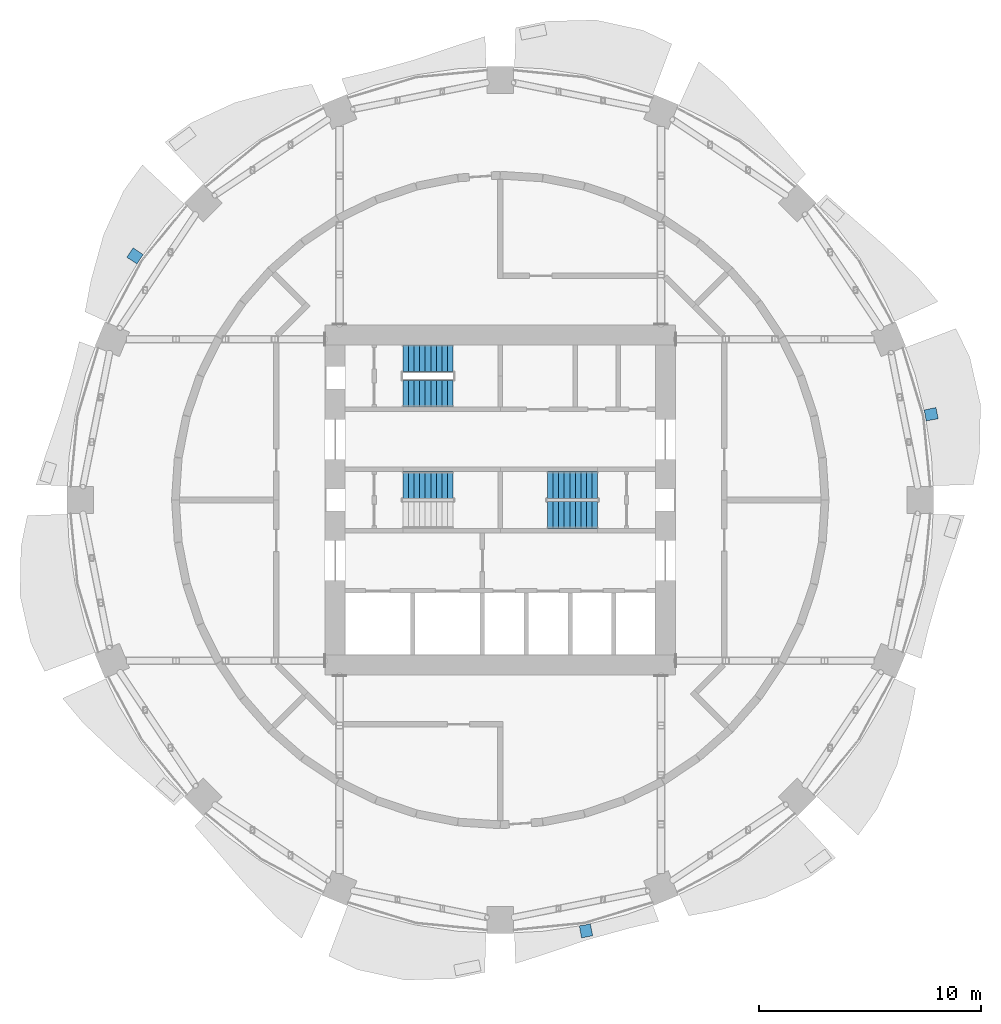
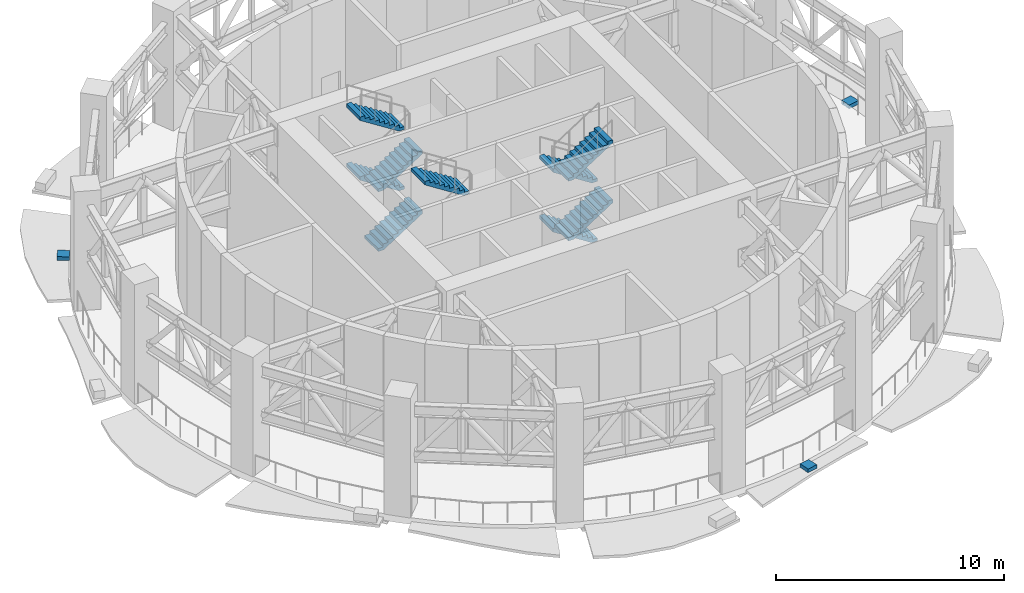
# One storey, part 9 of 14: 9 stair flights, 3 discrete accessories, 3 elements without a shape of their own.
"""IFC4 building model written with IfcOpenShell, lengths in metres."""

import ifcopenshell
import ifcopenshell.guid

model = None  # the IFC model being written
_history = None  # IfcOwnerHistory: only IFC2X3 demands one
_inside = {}  # id of a spatial element -> (the spatial element, [elements in it])
_under = {}  # id of a project, library or spatial element -> (it, [spatial elements below it])
_declared = {}  # id of a project -> (the project, [libraries it declares])
_typed = {}  # id of a type object -> (the type object, [elements of that type])
_made_of = {}  # id of a material, layer set ... -> (it, [elements and type objects made of it])


def new_model(schema):
    """Start an empty IFC model of exactly this schema.

    Asked for "IFC4X3", IfcOpenShell would pick the latest addendum, in which some entities
    have other attributes; the version numbers below select the first issue.
    IFC2X3 requires an IfcOwnerHistory on every rooted entity: one is made here for all.
    """
    global model, _history
    if schema == "IFC4X3":
        model = ifcopenshell.file(schema_version=(4, 3, 0, 0))
    else:
        model = ifcopenshell.file(schema=schema)
    _inside.clear()
    _under.clear()
    _declared.clear()
    _typed.clear()
    _made_of.clear()
    _history = None
    if model.schema == "IFC2X3":
        org = make("IfcOrganization", Name="unknown")
        user = make(
            "IfcPersonAndOrganization",
            ThePerson=make("IfcPerson", FamilyName="unknown"),
            TheOrganization=org,
        )
        app = make(
            "IfcApplication",
            ApplicationDeveloper=org,
            Version="unknown",
            ApplicationFullName="unknown",
            ApplicationIdentifier="unknown",
        )
        _history = make(
            "IfcOwnerHistory",
            OwningUser=user,
            OwningApplication=app,
            ChangeAction="ADDED",
            CreationDate=0,
        )
    return model


def make(cls, **values):
    """One entity of the class cls with the attributes given. An attribute that is None is left unset."""
    return model.create_entity(
        cls, **{name: value for name, value in values.items() if value is not None}
    )


def rooted(cls, **values):
    """An entity with a GlobalId (a new one), such as an element, a storey or a relation."""
    return make(cls, GlobalId=ifcopenshell.guid.new(), OwnerHistory=_history, **values)


def si_unit(unit_type, name, prefix=None):
    """IfcSIUnit, for example si_unit("LENGTHUNIT", "METRE", prefix="MILLI")."""
    return make("IfcSIUnit", UnitType=unit_type, Prefix=prefix, Name=name)


def assignment(units):
    """IfcUnitAssignment: the units of a project."""
    return None if units is None else make("IfcUnitAssignment", Units=units)


def point(xyz):
    """IfcCartesianPoint."""
    return None if xyz is None else make("IfcCartesianPoint", Coordinates=xyz)


def direction(xyz):
    """IfcDirection."""
    return None if xyz is None else make("IfcDirection", DirectionRatios=xyz)


def frame(location, z_axis=None, x_axis=None):
    """IfcAxis2Placement3D, a coordinate frame: its origin and axes. An axis left out is left unset."""
    return make(
        "IfcAxis2Placement3D",
        Location=point(location),
        Axis=direction(z_axis),
        RefDirection=direction(x_axis),
    )


def origin():
    """The frame at (0, 0, 0) with its axes left unset."""
    return frame((0.0, 0.0, 0.0))


def place(relative_to, where):
    """IfcLocalPlacement: puts the frame where relative to a parent placement (None: the world)."""
    return make(
        "IfcLocalPlacement", PlacementRelTo=relative_to, RelativePlacement=where
    )


def context(
    kind, dimensions, precision=None, world=None, true_north=None, identifier=None
):
    """IfcGeometricRepresentationContext, for example the 3D "Model" context."""
    return make(
        "IfcGeometricRepresentationContext",
        ContextIdentifier=identifier,
        ContextType=kind,
        CoordinateSpaceDimension=dimensions,
        Precision=precision,
        WorldCoordinateSystem=world,
        TrueNorth=true_north,
    )


def subcontext(parent, identifier, kind, view, scale=None):
    """IfcGeometricRepresentationSubContext, for example "Body" below "Model"."""
    return make(
        "IfcGeometricRepresentationSubContext",
        ContextIdentifier=identifier,
        ContextType=kind,
        ParentContext=parent,
        TargetScale=scale,
        TargetView=view,
    )


def project(units=None, contexts=None):
    """IfcProject with its units and contexts."""
    return rooted(
        "IfcProject",
        Name="project",
        RepresentationContexts=contexts,
        UnitsInContext=assignment(units),
    )


def spatial(cls, under=None, at=None, **own):
    """A site, building, storey or space (cls), placed at a placement, below another one or the project."""
    s = rooted(cls, ObjectPlacement=at, **own)
    if under is not None:
        _under.setdefault(under.id(), (under, []))[1].append(s)
    return s


def polyline(points):
    """IfcPolyline through the points."""
    return make("IfcPolyline", Points=[point(p) for p in points])


def outline(outer, holes=None, kind="AREA"):
    """IfcArbitraryClosedProfileDef: a profile drawn as a closed curve; with holes, ...WithVoids."""
    if holes is None:
        return make("IfcArbitraryClosedProfileDef", ProfileType=kind, OuterCurve=outer)
    return make(
        "IfcArbitraryProfileDefWithVoids",
        ProfileType=kind,
        OuterCurve=outer,
        InnerCurves=holes,
    )


def extrude(swept, where, along, depth):
    """IfcExtrudedAreaSolid: the profile swept, set in the frame where, extruded along a direction by depth."""
    return make(
        "IfcExtrudedAreaSolid",
        SweptArea=swept,
        Position=where,
        ExtrudedDirection=direction(along),
        Depth=depth,
    )


def shape(context_of_items, identifier, shape_type, items):
    """IfcShapeRepresentation: the items that make up one representation, for example the "Body"."""
    return make(
        "IfcShapeRepresentation",
        ContextOfItems=context_of_items,
        RepresentationIdentifier=identifier,
        RepresentationType=shape_type,
        Items=items,
    )


def material(Name=None, Category=None):
    """IfcMaterial."""
    return make("IfcMaterial", Name=Name, Category=Category)


def made_of(thing, what):
    """Note that an element or type object is made of a material, layer set ...; save() writes the relation."""
    if what is not None:
        _made_of.setdefault(what.id(), (what, []))[1].append(thing)
    return thing


def type_object(cls, material=None, **own):
    """A type object (cls), such as IfcWallType, which elements share."""
    return made_of(rooted(cls, **own), material)


def element(
    cls,
    number,
    at=None,
    inside=None,
    cuts=None,
    type_object=None,
    material=None,
    context=None,
    identifier="Body",
    shape_type=None,
    held_by="IfcProductDefinitionShape",
    body=None,
    shapes=None,
    **own,
):
    """One element of the class cls, such as IfcWall. Its Tag is "e" and its number.

    at: its placement. inside: the storey or other place that contains it. cuts: it is an
    opening in that element (IfcRelVoidsElement). A single representation is given by context,
    identifier, shape_type and body (its items); several are given by shapes. held_by: the class
    of the entity that holds the representations. save() writes the other relations.
    """
    e = rooted(cls, Tag="e%d" % number, ObjectPlacement=at, **own)
    if body is not None:
        shapes = [shape(context, identifier, shape_type, body)]
    if shapes is not None:
        e.Representation = make(held_by, Representations=shapes)
    if inside is not None:
        _inside.setdefault(inside.id(), (inside, []))[1].append(e)
    if cuts is not None:
        rooted(
            "IfcRelVoidsElement", RelatingBuildingElement=cuts, RelatedOpeningElement=e
        )
    if type_object is not None:
        _typed.setdefault(type_object.id(), (type_object, []))[1].append(e)
    return made_of(e, material)


def aggregate(whole, parts):
    """IfcRelAggregates: a whole, such as a stair, and the parts it consists of."""
    return rooted("IfcRelAggregates", RelatingObject=whole, RelatedObjects=parts)


def save(model, path):
    """Write the relations noted so far, then the file.

    IfcRelAggregates (storeys below a building ...), IfcRelContainedInSpatialStructure (elements
    in a storey), IfcRelDefinesByType, IfcRelAssociatesMaterial and IfcRelDeclares: one each for
    every whole, place, type object, material and project.
    """
    for whole, parts in _under.values():
        aggregate(whole, parts)
    for where, things in _inside.values():
        rooted(
            "IfcRelContainedInSpatialStructure",
            RelatedElements=things,
            RelatingStructure=where,
        )
    for kind, things in _typed.values():
        rooted("IfcRelDefinesByType", RelatedObjects=things, RelatingType=kind)
    for what, things in _made_of.values():
        rooted("IfcRelAssociatesMaterial", RelatedObjects=things, RelatingMaterial=what)
    for by, libraries in _declared.values():
        rooted("IfcRelDeclares", RelatingContext=by, RelatedDefinitions=libraries)
    model.write(path)


model = new_model("IFC4")

# Units and contexts
model_context = context("Model", 3, precision=1e-05, world=origin(), true_north=direction((0.0, 1.0)))
body_context = subcontext(model_context, "Body", "Model", "MODEL_VIEW")
ifc_project = project(units=[si_unit("LENGTHUNIT", "METRE"), si_unit("AREAUNIT", "SQUARE_METRE"), si_unit("VOLUMEUNIT", "CUBIC_METRE"), si_unit("PLANEANGLEUNIT", "RADIAN"), si_unit("MASSUNIT", "GRAM", prefix="KILO")], contexts=[model_context])

# Site, building, storey
site_placement = place(None, origin())
site = spatial("IfcSite", under=ifc_project, at=site_placement, CompositionType="ELEMENT")
building_placement = place(site_placement, origin())
building = spatial("IfcBuilding", under=site, at=building_placement, Name="Polderwave Tower", CompositionType="ELEMENT")
storey_placement = place(building_placement, frame((0.0, 0.0, 66.35009765625)))
storey = spatial("IfcBuildingStorey", under=building, at=storey_placement, Name="L17", CompositionType="ELEMENT", Elevation=66.35009765625)

# Stair, stair flight
ifc_material_1 = material(Name="Concrete C40/50", Category="concrete")
stair_type = type_object("IfcStairType", Name="Exit stair 1200 x 40 risers", PredefinedType="HALF_TURN_STAIR", material=ifc_material_1)
stair_1_placement = place(storey_placement, origin())
stair_1 = element("IfcStair", 1, at=stair_1_placement, inside=storey, type_object=stair_type, Name="L17 Exit stair A", PredefinedType="HALF_TURN_STAIR")
stair_flight_type = type_object("IfcStairFlightType", Name="Stair flight 1200", PredefinedType="STRAIGHT", material=ifc_material_1)
stair_flight_1_placement = place(storey_placement, frame((-2.1240234375, 0.675048828125, 4.7998046875), z_axis=(0.0, 0.0, 1.0), x_axis=(-1.0, 0.0, 0.0)))
stair_flight_1 = element("IfcStairFlight", 2, at=stair_flight_1_placement, type_object=stair_flight_type, Name="ST-A flight 4", NumberOfRisers=10, NumberOfTreads=9, PredefinedType="STRAIGHT", RiserHeight=0.16, TreadLength=0.25, context=body_context, shape_type="SweptSolid", body=[
    extrude(outline(polyline([(0.0, 0.0), (0.0, 0.159912109375), (0.25, 0.159912109375), (0.25, 0.320068359375), (0.5, 0.320068359375), (0.5, 0.47998046875), (0.75, 0.47998046875), (0.75, 0.639892578125), (1.0, 0.639892578125), (1.0, 0.800048828125), (1.25, 0.800048828125), (1.25, 0.9599609375), (1.5, 0.9599609375), (1.5, 1.1201171875), (1.75, 1.1201171875), (1.75, 1.280029296875), (2.0, 1.280029296875), (2.0, 1.43994140625), (2.25, 1.43994140625), (2.25, 1.60009765625), (2.25, 1.261962890625), (0.278076171875, 0.0), (0.0, 0.0)])), frame((0.0, 0.60009765625, 0.0), z_axis=(0.0, -1.0, 0.0), x_axis=(1.0, 0.0, 0.0)), (0.0, 0.0, 1.0), 1.199951171875),
])
aggregate(stair_1, [stair_flight_1])

# Stair, stair flights
stair_2_placement = place(storey_placement, origin())
stair_2 = element("IfcStair", 3, at=stair_2_placement, inside=storey, type_object=stair_type, Name="L17 Exit stair B", PredefinedType="HALF_TURN_STAIR")
stair_flight_2_placement = place(storey_placement, frame((4.3740234375, 0.675048828125, 0.0), z_axis=(0.0, 0.0, 1.0), x_axis=(-1.0, 0.0, 0.0)))
stair_flight_2 = element("IfcStairFlight", 4, at=stair_flight_2_placement, type_object=stair_flight_type, Name="ST-B flight 1", NumberOfRisers=10, NumberOfTreads=9, PredefinedType="STRAIGHT", RiserHeight=0.16, TreadLength=0.25, context=body_context, shape_type="SweptSolid", body=[
    extrude(outline(polyline([(0.0, 0.0), (0.0, 0.159912109375), (0.25, 0.159912109375), (0.25, 0.320068359375), (0.5, 0.320068359375), (0.5, 0.47998046875), (0.75, 0.47998046875), (0.75, 0.639892578125), (1.0, 0.639892578125), (1.0, 0.800048828125), (1.25, 0.800048828125), (1.25, 0.9599609375), (1.5, 0.9599609375), (1.5, 1.1201171875), (1.75, 1.1201171875), (1.75, 1.280029296875), (2.0, 1.280029296875), (2.0, 1.43994140625), (2.25, 1.43994140625), (2.25, 1.60009765625), (2.25, 1.261962890625), (0.278076171875, 0.0), (0.0, 0.0)])), frame((0.0, 0.60009765625, 0.0), z_axis=(0.0, -1.0, 0.0), x_axis=(1.0, 0.0, 0.0)), (0.0, 0.0, 1.0), 1.199951171875),
])
stair_flight_3_placement = place(storey_placement, frame((2.1240234375, -0.675048828125, 1.599853515625), z_axis=(0.0, 0.0, 1.0), x_axis=(1.0, 0.0, 0.0)))
stair_flight_3 = element("IfcStairFlight", 5, at=stair_flight_3_placement, type_object=stair_flight_type, Name="ST-B flight 2", NumberOfRisers=10, NumberOfTreads=9, PredefinedType="STRAIGHT", RiserHeight=0.16, TreadLength=0.25, context=body_context, shape_type="SweptSolid", body=[
    extrude(outline(polyline([(0.0, 0.0), (0.0, 0.159912109375), (0.25, 0.159912109375), (0.25, 0.320068359375), (0.5, 0.320068359375), (0.5, 0.47998046875), (0.75, 0.47998046875), (0.75, 0.639892578125), (1.0, 0.639892578125), (1.0, 0.800048828125), (1.25, 0.800048828125), (1.25, 0.9599609375), (1.5, 0.9599609375), (1.5, 1.1201171875), (1.75, 1.1201171875), (1.75, 1.280029296875), (2.0, 1.280029296875), (2.0, 1.43994140625), (2.25, 1.43994140625), (2.25, 1.60009765625), (2.25, 1.261962890625), (0.278076171875, 0.0), (0.0, 0.0)])), frame((0.0, 0.60009765625, 0.0), z_axis=(0.0, -1.0, 0.0), x_axis=(1.0, 0.0, 0.0)), (0.0, 0.0, 1.0), 1.199951171875),
])
stair_flight_4_placement = place(storey_placement, frame((4.3740234375, 0.675048828125, 3.199951171875), z_axis=(0.0, 0.0, 1.0), x_axis=(-1.0, 0.0, 0.0)))
stair_flight_4 = element("IfcStairFlight", 6, at=stair_flight_4_placement, type_object=stair_flight_type, Name="ST-B flight 3", NumberOfRisers=10, NumberOfTreads=9, PredefinedType="STRAIGHT", RiserHeight=0.16, TreadLength=0.25, context=body_context, shape_type="SweptSolid", body=[
    extrude(outline(polyline([(0.0, 0.0), (0.0, 0.159912109375), (0.25, 0.159912109375), (0.25, 0.320068359375), (0.5, 0.320068359375), (0.5, 0.47998046875), (0.75, 0.47998046875), (0.75, 0.639892578125), (1.0, 0.639892578125), (1.0, 0.800048828125), (1.25, 0.800048828125), (1.25, 0.9599609375), (1.5, 0.9599609375), (1.5, 1.1201171875), (1.75, 1.1201171875), (1.75, 1.280029296875), (2.0, 1.280029296875), (2.0, 1.43994140625), (2.25, 1.43994140625), (2.25, 1.60009765625), (2.25, 1.261962890625), (0.278076171875, 0.0), (0.0, 0.0)])), frame((0.0, 0.60009765625, 0.0), z_axis=(0.0, -1.0, 0.0), x_axis=(1.0, 0.0, 0.0)), (0.0, 0.0, 1.0), 1.199951171875),
])
stair_flight_5_placement = place(storey_placement, frame((2.1240234375, -0.675048828125, 4.7998046875), z_axis=(0.0, 0.0, 1.0), x_axis=(1.0, 0.0, 0.0)))
stair_flight_5 = element("IfcStairFlight", 7, at=stair_flight_5_placement, type_object=stair_flight_type, Name="ST-B flight 4", NumberOfRisers=10, NumberOfTreads=9, PredefinedType="STRAIGHT", RiserHeight=0.16, TreadLength=0.25, context=body_context, shape_type="SweptSolid", body=[
    extrude(outline(polyline([(0.0, 0.0), (0.0, 0.159912109375), (0.25, 0.159912109375), (0.25, 0.320068359375), (0.5, 0.320068359375), (0.5, 0.47998046875), (0.75, 0.47998046875), (0.75, 0.639892578125), (1.0, 0.639892578125), (1.0, 0.800048828125), (1.25, 0.800048828125), (1.25, 0.9599609375), (1.5, 0.9599609375), (1.5, 1.1201171875), (1.75, 1.1201171875), (1.75, 1.280029296875), (2.0, 1.280029296875), (2.0, 1.43994140625), (2.25, 1.43994140625), (2.25, 1.60009765625), (2.25, 1.261962890625), (0.278076171875, 0.0), (0.0, 0.0)])), frame((0.0, 0.60009765625, 0.0), z_axis=(0.0, -1.0, 0.0), x_axis=(1.0, 0.0, 0.0)), (0.0, 0.0, 1.0), 1.199951171875),
])
aggregate(stair_2, [stair_flight_2, stair_flight_3, stair_flight_4, stair_flight_5])

stair_3_placement = place(storey_placement, origin())
stair_3 = element("IfcStair", 8, at=stair_3_placement, inside=storey, type_object=stair_type, Name="L17 Exit stair C", PredefinedType="HALF_TURN_STAIR")
stair_flight_6_placement = place(storey_placement, frame((-4.3740234375, 4.77392578125, 0.0), z_axis=(0.0, 0.0, 1.0), x_axis=(1.0, 0.0, 0.0)))
stair_flight_6 = element("IfcStairFlight", 9, at=stair_flight_6_placement, type_object=stair_flight_type, Name="ST-C flight 1", NumberOfRisers=10, NumberOfTreads=9, PredefinedType="STRAIGHT", RiserHeight=0.16, TreadLength=0.25, context=body_context, shape_type="SweptSolid", body=[
    extrude(outline(polyline([(0.0, 0.0), (0.0, 0.159912109375), (0.25, 0.159912109375), (0.25, 0.320068359375), (0.5, 0.320068359375), (0.5, 0.47998046875), (0.75, 0.47998046875), (0.75, 0.639892578125), (1.0, 0.639892578125), (1.0, 0.800048828125), (1.25, 0.800048828125), (1.25, 0.9599609375), (1.5, 0.9599609375), (1.5, 1.1201171875), (1.75, 1.1201171875), (1.75, 1.280029296875), (2.0, 1.280029296875), (2.0, 1.43994140625), (2.25, 1.43994140625), (2.25, 1.60009765625), (2.25, 1.261962890625), (0.278076171875, 0.0), (0.0, 0.0)])), frame((0.0, 0.60009765625, 0.0), z_axis=(0.0, -1.0, 0.0), x_axis=(1.0, 0.0, 0.0)), (0.0, 0.0, 1.0), 1.199951171875),
])
stair_flight_7_placement = place(storey_placement, frame((-2.1240234375, 6.3740234375, 1.599853515625), z_axis=(0.0, 0.0, 1.0), x_axis=(-1.0, 0.0, 0.0)))
stair_flight_7 = element("IfcStairFlight", 10, at=stair_flight_7_placement, type_object=stair_flight_type, Name="ST-C flight 2", NumberOfRisers=10, NumberOfTreads=9, PredefinedType="STRAIGHT", RiserHeight=0.16, TreadLength=0.25, context=body_context, shape_type="SweptSolid", body=[
    extrude(outline(polyline([(0.0, 0.0), (0.0, 0.159912109375), (0.25, 0.159912109375), (0.25, 0.320068359375), (0.5, 0.320068359375), (0.5, 0.47998046875), (0.75, 0.47998046875), (0.75, 0.639892578125), (1.0, 0.639892578125), (1.0, 0.800048828125), (1.25, 0.800048828125), (1.25, 0.9599609375), (1.5, 0.9599609375), (1.5, 1.1201171875), (1.75, 1.1201171875), (1.75, 1.280029296875), (2.0, 1.280029296875), (2.0, 1.43994140625), (2.25, 1.43994140625), (2.25, 1.60009765625), (2.25, 1.261962890625), (0.278076171875, 0.0), (0.0, 0.0)])), frame((0.0, 0.60009765625, 0.0), z_axis=(0.0, -1.0, 0.0), x_axis=(1.0, 0.0, 0.0)), (0.0, 0.0, 1.0), 1.199951171875),
])
stair_flight_8_placement = place(storey_placement, frame((-4.3740234375, 4.77392578125, 3.199951171875), z_axis=(0.0, 0.0, 1.0), x_axis=(1.0, 0.0, 0.0)))
stair_flight_8 = element("IfcStairFlight", 11, at=stair_flight_8_placement, type_object=stair_flight_type, Name="ST-C flight 3", NumberOfRisers=10, NumberOfTreads=9, PredefinedType="STRAIGHT", RiserHeight=0.16, TreadLength=0.25, context=body_context, shape_type="SweptSolid", body=[
    extrude(outline(polyline([(0.0, 0.0), (0.0, 0.159912109375), (0.25, 0.159912109375), (0.25, 0.320068359375), (0.5, 0.320068359375), (0.5, 0.47998046875), (0.75, 0.47998046875), (0.75, 0.639892578125), (1.0, 0.639892578125), (1.0, 0.800048828125), (1.25, 0.800048828125), (1.25, 0.9599609375), (1.5, 0.9599609375), (1.5, 1.1201171875), (1.75, 1.1201171875), (1.75, 1.280029296875), (2.0, 1.280029296875), (2.0, 1.43994140625), (2.25, 1.43994140625), (2.25, 1.60009765625), (2.25, 1.261962890625), (0.278076171875, 0.0), (0.0, 0.0)])), frame((0.0, 0.60009765625, 0.0), z_axis=(0.0, -1.0, 0.0), x_axis=(1.0, 0.0, 0.0)), (0.0, 0.0, 1.0), 1.199951171875),
])
stair_flight_9_placement = place(storey_placement, frame((-2.1240234375, 6.3740234375, 4.7998046875), z_axis=(0.0, 0.0, 1.0), x_axis=(-1.0, 0.0, 0.0)))
stair_flight_9 = element("IfcStairFlight", 12, at=stair_flight_9_placement, type_object=stair_flight_type, Name="ST-C flight 4", NumberOfRisers=10, NumberOfTreads=9, PredefinedType="STRAIGHT", RiserHeight=0.16, TreadLength=0.25, context=body_context, shape_type="SweptSolid", body=[
    extrude(outline(polyline([(0.0, 0.0), (0.0, 0.159912109375), (0.25, 0.159912109375), (0.25, 0.320068359375), (0.5, 0.320068359375), (0.5, 0.47998046875), (0.75, 0.47998046875), (0.75, 0.639892578125), (1.0, 0.639892578125), (1.0, 0.800048828125), (1.25, 0.800048828125), (1.25, 0.9599609375), (1.5, 0.9599609375), (1.5, 1.1201171875), (1.75, 1.1201171875), (1.75, 1.280029296875), (2.0, 1.280029296875), (2.0, 1.43994140625), (2.25, 1.43994140625), (2.25, 1.60009765625), (2.25, 1.261962890625), (0.278076171875, 0.0), (0.0, 0.0)])), frame((0.0, 0.60009765625, 0.0), z_axis=(0.0, -1.0, 0.0), x_axis=(1.0, 0.0, 0.0)), (0.0, 0.0, 1.0), 1.199951171875),
])
aggregate(stair_3, [stair_flight_6, stair_flight_7, stair_flight_8, stair_flight_9])

# Discrete accessories
ifc_material_2 = material(Name="Steel S355", Category="steel")
discrete_accessory_type = type_object("IfcDiscreteAccessoryType", Name="Band bracket pad", PredefinedType="BRACKET", material=ifc_material_2)
discrete_accessory_1_placement = place(storey_placement, frame((0.0, 0.0, -0.2001953125)))
element("IfcDiscreteAccessory", 13, at=discrete_accessory_1_placement, inside=storey, type_object=discrete_accessory_type, Name="Band bracket L17 1", PredefinedType="BRACKET", context=body_context, shape_type="SweptSolid", body=[
    extrude(outline(polyline([(19.142333984375, 3.552978515625), (19.105712890625, 3.80029296875), (19.044921875, 4.04296875), (19.5830078125, 4.156982421875), (19.68310546875, 3.6533203125), (19.142333984375, 3.552978515625)])), origin(), (0.0, 0.0, 1.0), 0.2001953125),
])
discrete_accessory_2_placement = place(storey_placement, frame((0.0, 0.0, -0.2001953125)))
element("IfcDiscreteAccessory", 14, at=discrete_accessory_2_placement, inside=storey, type_object=discrete_accessory_type, Name="Band bracket L17 7", PredefinedType="BRACKET", context=body_context, shape_type="SweptSolid", body=[
    extrude(outline(polyline([(-16.048095703125, 11.023193359375), (-16.197021484375, 10.822509765625), (-16.32568359375, 10.608154296875), (-16.78662109375, 10.90771484375), (-16.50146484375, 11.334716796875), (-16.048095703125, 11.023193359375)])), origin(), (0.0, 0.0, 1.0), 0.2001953125),
])
discrete_accessory_3_placement = place(storey_placement, frame((0.0, 0.0, -0.2001953125)))
element("IfcDiscreteAccessory", 15, at=discrete_accessory_3_placement, inside=storey, type_object=discrete_accessory_type, Name="Band bracket L17 13", PredefinedType="BRACKET", context=body_context, shape_type="SweptSolid", body=[
    extrude(outline(polyline([(3.552978515625, -19.142333984375), (3.80029296875, -19.105712890625), (4.04296875, -19.044921875), (4.156982421875, -19.5830078125), (3.6533203125, -19.68310546875), (3.552978515625, -19.142333984375)])), origin(), (0.0, 0.0, 1.0), 0.2001953125),
])

save(model, "model.ifc")
